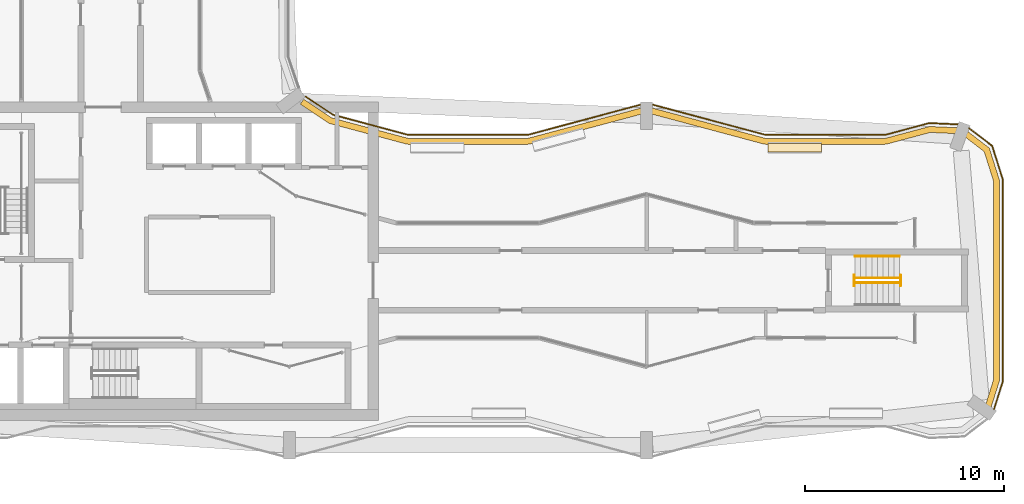
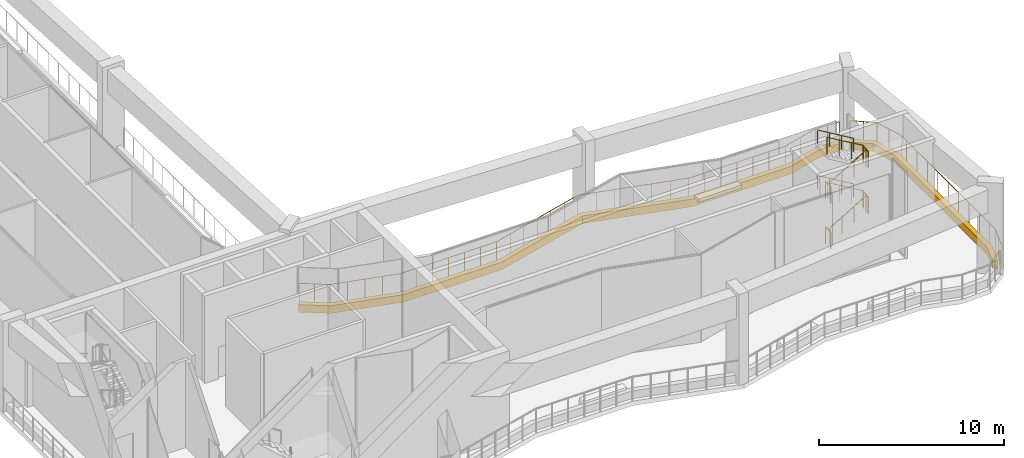
# One storey, part 16 of 17: 12 railings, 3 coverings.
"""IFC4 building model written with IfcOpenShell, lengths in metres."""

from ifc_helpers import new_model, si_unit, direction, frame, origin, origin_2d, place, context, subcontext, project, spatial, polyline, circle, outline, extrude, material, layer, layer_set, type_object, element, save


model = new_model("IFC4")

# Units and contexts
model_context = context("Model", 3, precision=1e-05, world=origin(), true_north=direction((0.0, 1.0)))
body_context = subcontext(model_context, "Body", "Model", "MODEL_VIEW")
ifc_project = project(units=[si_unit("LENGTHUNIT", "METRE"), si_unit("AREAUNIT", "SQUARE_METRE"), si_unit("VOLUMEUNIT", "CUBIC_METRE"), si_unit("PLANEANGLEUNIT", "RADIAN"), si_unit("MASSUNIT", "GRAM", prefix="KILO")], contexts=[model_context])

# Site, building, storey
site_placement = place(None, origin())
site = spatial("IfcSite", under=ifc_project, at=site_placement, CompositionType="ELEMENT")
building_placement = place(site_placement, origin())
building = spatial("IfcBuilding", under=site, at=building_placement, Name="Plateau Cross Towers", CompositionType="ELEMENT")
storey_placement = place(building_placement, frame((0.0, 0.0, 184.89990234375)))
storey = spatial("IfcBuildingStorey", under=building, at=storey_placement, Name="L48", CompositionType="ELEMENT", Elevation=184.89990234375)

# Railings
ifc_material_1 = material(Name="Stainless steel and toughened glass", Category="steel")
railing_type_1 = type_object("IfcRailingType", Name="Glass balustrade guard 1600", PredefinedType="GUARDRAIL", material=ifc_material_1)
railing_1_placement = place(storey_placement, frame((53.49609375, 2.5107421875, 0.0)))
element("IfcRailing", 1, at=railing_1_placement, inside=storey, type_object=railing_type_1, Name="Guard A535_22", PredefinedType="GUARDRAIL", context=body_context, shape_type="SweptSolid", body=[
    extrude(circle(Radius=0.02392578125, at=origin_2d()), frame((0.0, 0.0, 1.576171875), z_axis=(0.30070387127, 0.953717558716, 0.0), x_axis=(-0.953717558716, 0.30070387127, 0.0)), (0.0, 0.0, 1.0), 1.47607421875),
    extrude(circle(Radius=0.02392578125, at=origin_2d()), frame((0.44384765625, 1.40771484375, 1.576171875), z_axis=(0.0, 1.0, 0.0), x_axis=(-1.0, 0.0, 0.0)), (0.0, 0.0, 1.0), 10.1630859375),
    extrude(circle(Radius=0.02392578125, at=origin_2d()), frame((0.44384765625, 11.57080078125, 1.576171875), z_axis=(-0.300637904714, 0.953738355237, 0.0), x_axis=(-0.953738355237, -0.300637904714, 0.0)), (0.0, 0.0, 1.0), 1.776123046875),
    extrude(circle(Radius=0.02392578125, at=origin_2d()), frame((-0.090087890625, 13.2646484375, 1.576171875), z_axis=(-0.793378517032, 0.608728616636, 0.0), x_axis=(-0.608728616636, -0.793378517032, 0.0)), (0.0, 0.0, 1.0), 1.46630859375),
    extrude(circle(Radius=0.02099609375, at=origin_2d()), origin(), (0.0, 0.0, 1.0), 1.552001953125),
    extrude(circle(Radius=0.02099609375, at=origin_2d()), frame((0.221923828125, 0.703857421875, 0.0)), (0.0, 0.0, 1.0), 1.552001953125),
    extrude(circle(Radius=0.02099609375, at=origin_2d()), frame((0.44384765625, 1.40771484375, 0.0)), (0.0, 0.0, 1.0), 1.552001953125),
    extrude(circle(Radius=0.02099609375, at=origin_2d()), frame((0.44384765625, 1.9892578125, 0.0)), (0.0, 0.0, 1.0), 1.552001953125),
    extrude(circle(Radius=0.02099609375, at=origin_2d()), frame((0.44384765625, 3.1142578125, 0.0)), (0.0, 0.0, 1.0), 1.552001953125),
    extrude(circle(Radius=0.02099609375, at=origin_2d()), frame((0.44384765625, 4.2392578125, 0.0)), (0.0, 0.0, 1.0), 1.552001953125),
    extrude(circle(Radius=0.02099609375, at=origin_2d()), frame((0.44384765625, 5.3642578125, 0.0)), (0.0, 0.0, 1.0), 1.552001953125),
    extrude(circle(Radius=0.02099609375, at=origin_2d()), frame((0.44384765625, 6.4892578125, 0.0)), (0.0, 0.0, 1.0), 1.552001953125),
    extrude(circle(Radius=0.02099609375, at=origin_2d()), frame((0.44384765625, 7.6142578125, 0.0)), (0.0, 0.0, 1.0), 1.552001953125),
    extrude(circle(Radius=0.02099609375, at=origin_2d()), frame((0.44384765625, 8.7392578125, 0.0)), (0.0, 0.0, 1.0), 1.552001953125),
    extrude(circle(Radius=0.02099609375, at=origin_2d()), frame((0.44384765625, 9.8642578125, 0.0)), (0.0, 0.0, 1.0), 1.552001953125),
    extrude(circle(Radius=0.02099609375, at=origin_2d()), frame((0.44384765625, 10.9892578125, 0.0)), (0.0, 0.0, 1.0), 1.552001953125),
    extrude(circle(Radius=0.02099609375, at=origin_2d()), frame((0.44384765625, 11.57080078125, 0.0)), (0.0, 0.0, 1.0), 1.552001953125),
    extrude(circle(Radius=0.02099609375, at=origin_2d()), frame((0.1767578125, 12.417724609375, 0.0)), (0.0, 0.0, 1.0), 1.552001953125),
    extrude(circle(Radius=0.02099609375, at=origin_2d()), frame((-0.090087890625, 13.2646484375, 0.0)), (0.0, 0.0, 1.0), 1.552001953125),
    extrude(circle(Radius=0.02099609375, at=origin_2d()), frame((-0.671875, 13.7109375, 0.0)), (0.0, 0.0, 1.0), 1.552001953125),
    extrude(circle(Radius=0.02099609375, at=origin_2d()), frame((-1.25341796875, 14.1572265625, 0.0)), (0.0, 0.0, 1.0), 1.552001953125),
])
railing_2_placement = place(storey_placement, frame((51.705078125, 16.86376953125, 0.0)))
element("IfcRailing", 2, at=railing_2_placement, inside=storey, type_object=railing_type_1, Name="Guard A520_169", PredefinedType="GUARDRAIL", context=body_context, shape_type="SweptSolid", body=[
    extrude(circle(Radius=0.02392578125, at=origin_2d()), frame((0.0, 0.0, 1.576171875), z_axis=(-0.999038915809, 0.043832005412, 0.0), x_axis=(-0.043832005412, -0.999038915809, 0.0)), (0.0, 0.0, 1.0), 1.47607421875),
    extrude(circle(Radius=0.02392578125, at=origin_2d()), frame((-1.474609375, 0.064697265625, 1.576171875), z_axis=(-0.96593668607, -0.258778512448, 0.0), x_axis=(0.258778512448, -0.96593668607, 0.0)), (0.0, 0.0, 1.0), 2.301025390625),
    extrude(circle(Radius=0.02392578125, at=origin_2d()), frame((-3.697265625, -0.53076171875, 1.576171875), z_axis=(-1.0, 0.0, 0.0), x_axis=(0.0, -1.0, 0.0)), (0.0, 0.0, 1.0), 6.015625),
    extrude(circle(Radius=0.02392578125, at=origin_2d()), frame((-9.712890625, -0.53076171875, 1.576171875), z_axis=(-0.965950861745, 0.258725593428, 0.0), x_axis=(-0.258725593428, -0.965950861745, 0.0)), (0.0, 0.0, 1.0), 6.203369140625),
    extrude(circle(Radius=0.02392578125, at=origin_2d()), frame((-15.705078125, 1.07421875, 1.576171875), z_axis=(-0.965950861745, -0.258725593428, 0.0), x_axis=(0.258725593428, -0.965950861745, 0.0)), (0.0, 0.0, 1.0), 6.203369140625),
    extrude(circle(Radius=0.02392578125, at=origin_2d()), frame((-21.697265625, -0.53076171875, 1.576171875), z_axis=(-1.0, 0.0, 0.0), x_axis=(0.0, -1.0, 0.0)), (0.0, 0.0, 1.0), 6.015625),
    extrude(circle(Radius=0.02392578125, at=origin_2d()), frame((-27.712890625, -0.53076171875, 1.576171875), z_axis=(-0.965947496606, 0.258738156833, 0.0), x_axis=(-0.258738156833, -0.965947496606, 0.0)), (0.0, 0.0, 1.0), 3.92724609375),
    extrude(circle(Radius=0.02392578125, at=origin_2d()), frame((-31.50634765625, 0.4853515625, 1.576171875), z_axis=(-0.831551820231, 0.555447180451, 0.0), x_axis=(-0.555447180451, -0.831551820231, 0.0)), (0.0, 0.0, 1.0), 1.658935546875),
    extrude(circle(Radius=0.02099609375, at=origin_2d()), origin(), (0.0, 0.0, 1.0), 1.552001953125),
    extrude(circle(Radius=0.02099609375, at=origin_2d()), frame((-0.7373046875, 0.0322265625, 0.0)), (0.0, 0.0, 1.0), 1.552001953125),
    extrude(circle(Radius=0.02099609375, at=origin_2d()), frame((-1.474609375, 0.064697265625, 0.0)), (0.0, 0.0, 1.0), 1.552001953125),
    extrude(circle(Radius=0.02099609375, at=origin_2d()), frame((-2.5859375, -0.23291015625, 0.0)), (0.0, 0.0, 1.0), 1.552001953125),
    extrude(circle(Radius=0.02099609375, at=origin_2d()), frame((-3.697265625, -0.53076171875, 0.0)), (0.0, 0.0, 1.0), 1.552001953125),
    extrude(circle(Radius=0.02099609375, at=origin_2d()), frame((-4.699951171875, -0.53076171875, 0.0)), (0.0, 0.0, 1.0), 1.552001953125),
    extrude(circle(Radius=0.02099609375, at=origin_2d()), frame((-5.702392578125, -0.53076171875, 0.0)), (0.0, 0.0, 1.0), 1.552001953125),
    extrude(circle(Radius=0.02099609375, at=origin_2d()), frame((-6.705078125, -0.53076171875, 0.0)), (0.0, 0.0, 1.0), 1.552001953125),
    extrude(circle(Radius=0.02099609375, at=origin_2d()), frame((-7.707763671875, -0.53076171875, 0.0)), (0.0, 0.0, 1.0), 1.552001953125),
    extrude(circle(Radius=0.02099609375, at=origin_2d()), frame((-8.710205078125, -0.53076171875, 0.0)), (0.0, 0.0, 1.0), 1.552001953125),
    extrude(circle(Radius=0.02099609375, at=origin_2d()), frame((-9.712890625, -0.53076171875, 0.0)), (0.0, 0.0, 1.0), 1.552001953125),
    extrude(circle(Radius=0.02099609375, at=origin_2d()), frame((-10.711669921875, -0.26318359375, 0.0)), (0.0, 0.0, 1.0), 1.552001953125),
    extrude(circle(Radius=0.02099609375, at=origin_2d()), frame((-11.710205078125, 0.004150390625, 0.0)), (0.0, 0.0, 1.0), 1.552001953125),
    extrude(circle(Radius=0.02099609375, at=origin_2d()), frame((-12.708984375, 0.271728515625, 0.0)), (0.0, 0.0, 1.0), 1.552001953125),
    extrude(circle(Radius=0.02099609375, at=origin_2d()), frame((-13.707763671875, 0.539306640625, 0.0)), (0.0, 0.0, 1.0), 1.552001953125),
    extrude(circle(Radius=0.02099609375, at=origin_2d()), frame((-14.706298828125, 0.806640625, 0.0)), (0.0, 0.0, 1.0), 1.552001953125),
    extrude(circle(Radius=0.02099609375, at=origin_2d()), frame((-15.705078125, 1.07421875, 0.0)), (0.0, 0.0, 1.0), 1.552001953125),
    extrude(circle(Radius=0.02099609375, at=origin_2d()), frame((-16.703857421875, 0.806640625, 0.0)), (0.0, 0.0, 1.0), 1.552001953125),
    extrude(circle(Radius=0.02099609375, at=origin_2d()), frame((-17.702392578125, 0.539306640625, 0.0)), (0.0, 0.0, 1.0), 1.552001953125),
    extrude(circle(Radius=0.02099609375, at=origin_2d()), frame((-18.701171875, 0.271728515625, 0.0)), (0.0, 0.0, 1.0), 1.552001953125),
    extrude(circle(Radius=0.02099609375, at=origin_2d()), frame((-19.699951171875, 0.004150390625, 0.0)), (0.0, 0.0, 1.0), 1.552001953125),
    extrude(circle(Radius=0.02099609375, at=origin_2d()), frame((-20.698486328125, -0.26318359375, 0.0)), (0.0, 0.0, 1.0), 1.552001953125),
    extrude(circle(Radius=0.02099609375, at=origin_2d()), frame((-21.697265625, -0.53076171875, 0.0)), (0.0, 0.0, 1.0), 1.552001953125),
    extrude(circle(Radius=0.02099609375, at=origin_2d()), frame((-22.699951171875, -0.53076171875, 0.0)), (0.0, 0.0, 1.0), 1.552001953125),
    extrude(circle(Radius=0.02099609375, at=origin_2d()), frame((-23.702392578125, -0.53076171875, 0.0)), (0.0, 0.0, 1.0), 1.552001953125),
    extrude(circle(Radius=0.02099609375, at=origin_2d()), frame((-24.705078125, -0.53076171875, 0.0)), (0.0, 0.0, 1.0), 1.552001953125),
    extrude(circle(Radius=0.02099609375, at=origin_2d()), frame((-25.707763671875, -0.53076171875, 0.0)), (0.0, 0.0, 1.0), 1.552001953125),
    extrude(circle(Radius=0.02099609375, at=origin_2d()), frame((-26.710205078125, -0.53076171875, 0.0)), (0.0, 0.0, 1.0), 1.552001953125),
    extrude(circle(Radius=0.02099609375, at=origin_2d()), frame((-27.712890625, -0.53076171875, 0.0)), (0.0, 0.0, 1.0), 1.552001953125),
    extrude(circle(Radius=0.02099609375, at=origin_2d()), frame((-28.6611328125, -0.27685546875, 0.0)), (0.0, 0.0, 1.0), 1.552001953125),
    extrude(circle(Radius=0.02099609375, at=origin_2d()), frame((-29.609619140625, -0.022705078125, 0.0)), (0.0, 0.0, 1.0), 1.552001953125),
    extrude(circle(Radius=0.02099609375, at=origin_2d()), frame((-30.55810546875, 0.2314453125, 0.0)), (0.0, 0.0, 1.0), 1.552001953125),
    extrude(circle(Radius=0.02099609375, at=origin_2d()), frame((-31.50634765625, 0.4853515625, 0.0)), (0.0, 0.0, 1.0), 1.552001953125),
    extrude(circle(Radius=0.02099609375, at=origin_2d()), frame((-32.196044921875, 0.946044921875, 0.0)), (0.0, 0.0, 1.0), 1.552001953125),
    extrude(circle(Radius=0.02099609375, at=origin_2d()), frame((-32.8857421875, 1.40673828125, 0.0)), (0.0, 0.0, 1.0), 1.552001953125),
])

# Covering
ifc_material_2 = material(Name="Planting substrate and ground cover")
ifc_layer = layer(ifc_material_2, 0.199951171875)
ifc_layer_set = layer_set([ifc_layer], Name="Planting substrate and ground cover")
covering_type_1 = type_object("IfcCoveringType", Name="Planting bed 200", PredefinedType="FLOORING", material=ifc_layer_set)
covering_1_placement = place(storey_placement, frame((0.0, 0.0, 0.4501953125)))
element("IfcCovering", 3, at=covering_1_placement, inside=storey, type_object=covering_type_1, Name="Planting bed 7", PredefinedType="FLOORING", context=body_context, shape_type="SweptSolid", body=[
    extrude(outline(polyline([(44.800048828125, 15.9130859375), (44.800048828125, 15.483154296875), (42.108642578125, 15.483154296875), (42.108642578125, 15.9130859375), (44.800048828125, 15.9130859375)])), origin(), (0.0, 0.0, 1.0), 0.199951171875),
])

# Railings
railing_type_2 = type_object("IfcRailingType", Name="RL-GUARD-1100", PredefinedType="GUARDRAIL", material=ifc_material_1)
railing_3_placement = place(storey_placement, frame((46.5, 8.875, 0.166748046875)))
element("IfcRailing", 4, at=railing_3_placement, inside=storey, type_object=railing_type_2, Name="L48 ES-E stair guard 1", PredefinedType="GUARDRAIL", context=body_context, shape_type="SweptSolid", body=[
    extrude(circle(Radius=0.02392578125, at=origin_2d()), frame((0.0, 0.0, 1.076171875), z_axis=(0.859305625298, 0.0, 0.511462454469), x_axis=(0.0, 1.0, 0.0)), (0.0, 0.0, 1.0), 2.606689453125),
    extrude(circle(Radius=0.02099609375, at=origin_2d()), origin(), (0.0, 0.0, 1.0), 1.052001953125),
    extrude(circle(Radius=0.02099609375, at=origin_2d()), frame((0.74658203125, 0.0, 0.4443359375)), (0.0, 0.0, 1.0), 1.052001953125),
    extrude(circle(Radius=0.02099609375, at=origin_2d()), frame((1.493408203125, 0.0, 0.888916015625)), (0.0, 0.0, 1.0), 1.052001953125),
    extrude(circle(Radius=0.02099609375, at=origin_2d()), frame((2.239990234375, 0.0, 1.333251953125)), (0.0, 0.0, 1.0), 1.052001953125),
])
railing_4_placement = place(storey_placement, frame((48.7900390625, 8.72509765625, 1.5)))
element("IfcRailing", 5, at=railing_4_placement, inside=storey, type_object=railing_type_2, Name="L48 ES-E stair guard 2", PredefinedType="GUARDRAIL", context=body_context, shape_type="SweptSolid", body=[
    extrude(circle(Radius=0.02392578125, at=origin_2d()), frame((0.0, 0.0, 1.076171875), z_axis=(0.0, 1.0, 0.0), x_axis=(-1.0, 0.0, 0.0)), (0.0, 0.0, 1.0), 0.5498046875),
    extrude(circle(Radius=0.02099609375, at=origin_2d()), origin(), (0.0, 0.0, 1.0), 1.052001953125),
    extrude(circle(Radius=0.02099609375, at=origin_2d()), frame((0.0, 0.5498046875, 0.0)), (0.0, 0.0, 1.0), 1.052001953125),
])
railing_5_placement = place(storey_placement, frame((48.739990234375, 9.125, 1.666748046875)))
element("IfcRailing", 6, at=railing_5_placement, inside=storey, type_object=railing_type_2, Name="L48 ES-E stair guard 3", PredefinedType="GUARDRAIL", context=body_context, shape_type="SweptSolid", body=[
    extrude(circle(Radius=0.02392578125, at=origin_2d()), frame((0.0, 0.0, 1.076171875), z_axis=(-0.859305625298, 0.0, 0.511462454469), x_axis=(0.0, -1.0, 0.0)), (0.0, 0.0, 1.0), 2.606689453125),
    extrude(circle(Radius=0.02099609375, at=origin_2d()), origin(), (0.0, 0.0, 1.0), 1.052001953125),
    extrude(circle(Radius=0.02099609375, at=origin_2d()), frame((-0.74658203125, 0.0, 0.4443359375)), (0.0, 0.0, 1.0), 1.052001953125),
    extrude(circle(Radius=0.02099609375, at=origin_2d()), frame((-1.493408203125, 0.0, 0.888916015625)), (0.0, 0.0, 1.0), 1.052001953125),
    extrude(circle(Radius=0.02099609375, at=origin_2d()), frame((-2.239990234375, 0.0, 1.333251953125)), (0.0, 0.0, 1.0), 1.052001953125),
])
railing_6_placement = place(storey_placement, frame((46.449951171875, 8.72509765625, 3.0)))
element("IfcRailing", 7, at=railing_6_placement, inside=storey, type_object=railing_type_2, Name="L48 ES-E stair guard 4", PredefinedType="GUARDRAIL", context=body_context, shape_type="SweptSolid", body=[
    extrude(circle(Radius=0.02392578125, at=origin_2d()), frame((0.0, 0.0, 1.076171875), z_axis=(0.0, 1.0, 0.0), x_axis=(-1.0, 0.0, 0.0)), (0.0, 0.0, 1.0), 0.5498046875),
    extrude(circle(Radius=0.02099609375, at=origin_2d()), origin(), (0.0, 0.0, 1.0), 1.052001953125),
    extrude(circle(Radius=0.02099609375, at=origin_2d()), frame((0.0, 0.5498046875, 0.0)), (0.0, 0.0, 1.0), 1.052001953125),
])
railing_7_placement = place(storey_placement, frame((46.5, 8.875, 3.166748046875)))
element("IfcRailing", 8, at=railing_7_placement, inside=storey, type_object=railing_type_2, Name="L48 ES-E stair guard 5", PredefinedType="GUARDRAIL", context=body_context, shape_type="SweptSolid", body=[
    extrude(circle(Radius=0.02392578125, at=origin_2d()), frame((0.0, 0.0, 1.076171875), z_axis=(0.859305625298, 0.0, 0.511462454469), x_axis=(0.0, 1.0, 0.0)), (0.0, 0.0, 1.0), 2.606689453125),
    extrude(circle(Radius=0.02099609375, at=origin_2d()), origin(), (0.0, 0.0, 1.0), 1.052001953125),
    extrude(circle(Radius=0.02099609375, at=origin_2d()), frame((0.74658203125, 0.0, 0.4443359375)), (0.0, 0.0, 1.0), 1.052001953125),
    extrude(circle(Radius=0.02099609375, at=origin_2d()), frame((1.493408203125, 0.0, 0.888916015625)), (0.0, 0.0, 1.0), 1.052001953125),
    extrude(circle(Radius=0.02099609375, at=origin_2d()), frame((2.239990234375, 0.0, 1.333251953125)), (0.0, 0.0, 1.0), 1.052001953125),
])
railing_8_placement = place(storey_placement, frame((48.7900390625, 8.72509765625, 4.5)))
element("IfcRailing", 9, at=railing_8_placement, inside=storey, type_object=railing_type_2, Name="L48 ES-E stair guard 6", PredefinedType="GUARDRAIL", context=body_context, shape_type="SweptSolid", body=[
    extrude(circle(Radius=0.02392578125, at=origin_2d()), frame((0.0, 0.0, 1.076171875), z_axis=(0.0, 1.0, 0.0), x_axis=(-1.0, 0.0, 0.0)), (0.0, 0.0, 1.0), 0.5498046875),
    extrude(circle(Radius=0.02099609375, at=origin_2d()), origin(), (0.0, 0.0, 1.0), 1.052001953125),
    extrude(circle(Radius=0.02099609375, at=origin_2d()), frame((0.0, 0.5498046875, 0.0)), (0.0, 0.0, 1.0), 1.052001953125),
])
railing_9_placement = place(storey_placement, frame((48.739990234375, 9.125, 4.666748046875)))
element("IfcRailing", 10, at=railing_9_placement, inside=storey, type_object=railing_type_2, Name="L48 ES-E stair guard 7", PredefinedType="GUARDRAIL", context=body_context, shape_type="SweptSolid", body=[
    extrude(circle(Radius=0.02392578125, at=origin_2d()), frame((0.0, 0.0, 1.076171875), z_axis=(-0.864206315334, 0.0, 0.503137600004), x_axis=(0.0, -1.0, 0.0)), (0.0, 0.0, 1.0), 2.64990234375),
    extrude(circle(Radius=0.02099609375, at=origin_2d()), origin(), (0.0, 0.0, 1.0), 1.052001953125),
    extrude(circle(Radius=0.02099609375, at=origin_2d()), frame((-0.763427734375, 0.0, 0.4443359375)), (0.0, 0.0, 1.0), 1.052001953125),
    extrude(circle(Radius=0.02099609375, at=origin_2d()), frame((-1.526611328125, 0.0, 0.888916015625)), (0.0, 0.0, 1.0), 1.052001953125),
    extrude(circle(Radius=0.02099609375, at=origin_2d()), frame((-2.2900390625, 0.0, 1.333251953125)), (0.0, 0.0, 1.0), 1.052001953125),
])
railing_10_placement = place(storey_placement, frame((46.449951171875, 8.72509765625, 0.0)))
element("IfcRailing", 11, at=railing_10_placement, inside=storey, type_object=railing_type_2, Name="L48 ES-E stair guard 8", PredefinedType="GUARDRAIL", context=body_context, shape_type="SweptSolid", body=[
    extrude(circle(Radius=0.02392578125, at=origin_2d()), frame((0.0, 0.0, 1.076171875), z_axis=(0.0, 1.0, 0.0), x_axis=(-1.0, 0.0, 0.0)), (0.0, 0.0, 1.0), 0.5498046875),
    extrude(circle(Radius=0.02099609375, at=origin_2d()), origin(), (0.0, 0.0, 1.0), 1.052001953125),
    extrude(circle(Radius=0.02099609375, at=origin_2d()), frame((0.0, 0.5498046875, 0.0)), (0.0, 0.0, 1.0), 1.052001953125),
])
ifc_material_3 = material(Name="Black anodised aluminium", Category="aluminium")
railing_type_3 = type_object("IfcRailingType", Name="RL-HANDRAIL-900", PredefinedType="HANDRAIL", material=ifc_material_3)
for number, where, name in (
    (12, (48.739990234375, 10.22509765625, 1.666748046875), "L48 ES-E stair handrail 2"),
    (13, (48.739990234375, 10.22509765625, 4.666748046875), "L48 ES-E stair handrail 4"),
):
    element("IfcRailing", number, at=place(storey_placement, frame(where)), inside=storey, type_object=railing_type_3, Name=name, PredefinedType="HANDRAIL", context=body_context, shape_type="SweptSolid", body=[
        extrude(circle(Radius=0.02392578125, at=origin_2d()), frame((0.0, 0.0, 0.8759765625), z_axis=(-0.859305625298, 0.0, 0.511462454469), x_axis=(0.0, -1.0, 0.0)), (0.0, 0.0, 1.0), 2.606689453125),
        extrude(circle(Radius=0.02099609375, at=origin_2d()), origin(), (0.0, 0.0, 1.0), 0.851806640625),
        extrude(circle(Radius=0.02099609375, at=origin_2d()), frame((-0.74658203125, 0.0, 0.4443359375)), (0.0, 0.0, 1.0), 0.851806640625),
        extrude(circle(Radius=0.02099609375, at=origin_2d()), frame((-1.493408203125, 0.0, 0.888916015625)), (0.0, 0.0, 1.0), 0.851806640625),
        extrude(circle(Radius=0.02099609375, at=origin_2d()), frame((-2.239990234375, 0.0, 1.333251953125)), (0.0, 0.0, 1.0), 0.851806640625),
    ])

# Coverings
ifc_material_4 = material(Name="Light precast concrete cladding C40/50", Category="concrete")
covering_type_2 = type_object("IfcCoveringType", Name="Sill kerb cladding 300x500", PredefinedType="CLADDING", material=ifc_material_4)
covering_2_placement = place(storey_placement, origin())
element("IfcCovering", 14, at=covering_2_placement, inside=storey, type_object=covering_type_2, Name="Sill kerb 1", PredefinedType="CLADDING", context=body_context, shape_type="SweptSolid", body=[
    extrude(outline(polyline([(53.469970703125, 3.99072265625), (53.469970703125, 14.00927734375), (53.002197265625, 15.49267578125), (51.95654296875, 16.295166015625), (52.13916015625, 16.533203125), (53.260009765625, 15.673095703125), (53.77001953125, 14.055419921875), (53.77001953125, 3.944580078125), (53.333984375, 2.561767578125), (53.0478515625, 2.652099609375), (53.469970703125, 3.99072265625)])), origin(), (0.0, 0.0, 1.0), 0.5),
])
covering_3_placement = place(storey_placement, origin())
element("IfcCovering", 15, at=covering_3_placement, inside=storey, type_object=covering_type_2, Name="Sill kerb 2", PredefinedType="CLADDING", context=body_context, shape_type="SweptSolid", body=[
    extrude(outline(polyline([(50.2822265625, 16.45556640625), (48.126220703125, 15.878173828125), (48.089599609375, 15.8701171875), (48.048828125, 15.86474609375), (48.01123046875, 15.863037109375), (41.98876953125, 15.863037109375), (41.951171875, 15.86474609375), (41.910400390625, 15.8701171875), (41.873779296875, 15.878173828125), (36.0, 17.451416015625), (30.126220703125, 15.878173828125), (30.089599609375, 15.8701171875), (30.048828125, 15.86474609375), (30.01123046875, 15.863037109375), (23.98876953125, 15.863037109375), (23.951171875, 15.86474609375), (23.910400390625, 15.8701171875), (23.873779296875, 15.878173828125), (20.0732421875, 16.89599609375), (20.0283203125, 16.91064453125), (19.981689453125, 16.931884765625), (19.941162109375, 16.955810546875), (18.55810546875, 17.8798828125), (18.724853515625, 18.129150390625), (20.10107421875, 17.2099609375), (20.120361328125, 17.198486328125), (20.13720703125, 17.190673828125), (20.15869140625, 17.183837890625), (23.945068359375, 16.169677734375), (23.962646484375, 16.165771484375), (23.977294921875, 16.163818359375), (23.995361328125, 16.1630859375), (30.004638671875, 16.1630859375), (30.022705078125, 16.163818359375), (30.037353515625, 16.165771484375), (30.054931640625, 16.169677734375), (36.0, 17.761962890625), (41.945068359375, 16.169677734375), (41.962646484375, 16.165771484375), (41.977294921875, 16.163818359375), (41.995361328125, 16.1630859375), (48.004638671875, 16.1630859375), (48.022705078125, 16.163818359375), (48.037353515625, 16.165771484375), (48.054931640625, 16.169677734375), (50.249267578125, 16.75732421875), (51.697509765625, 16.694091796875), (51.6845703125, 16.394287109375), (50.2822265625, 16.45556640625)])), origin(), (0.0, 0.0, 1.0), 0.5),
])

save(model, "model.ifc")
